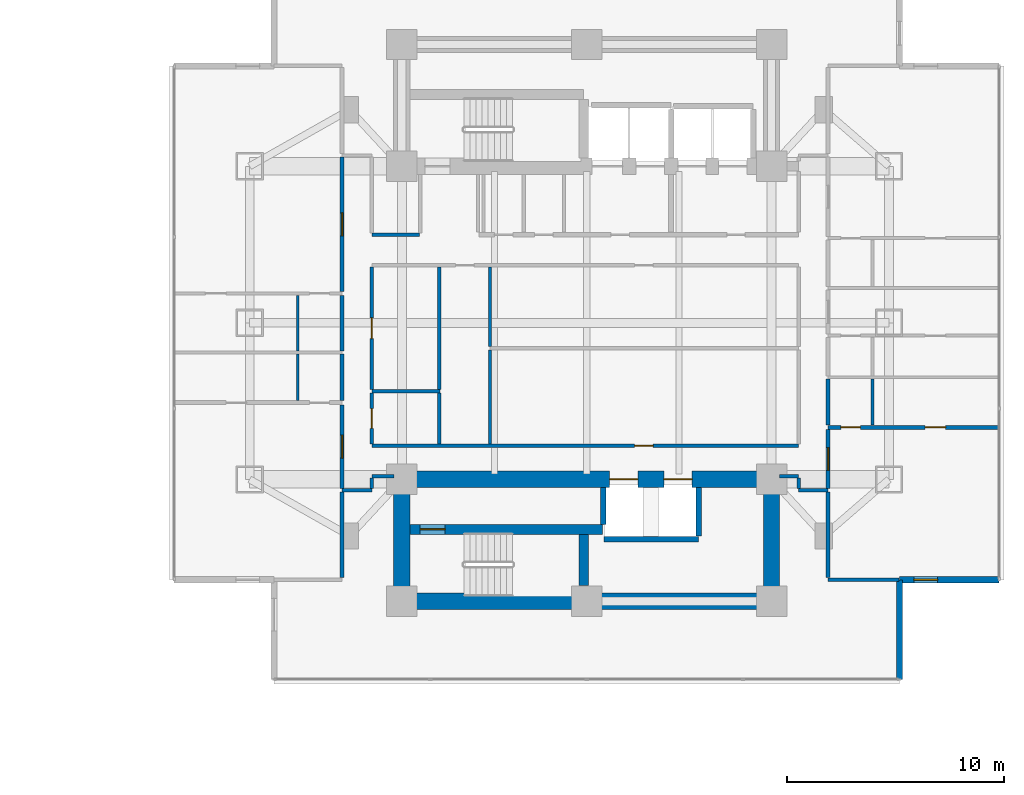
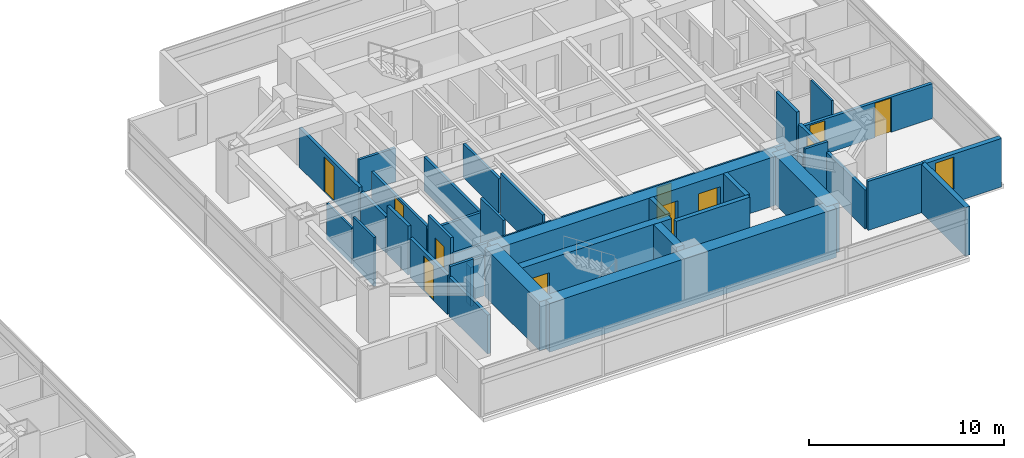
# One storey, part 18 of 26: 39 walls, 11 doors, 1 window, 12 openings.
"""IFC4 building model written with IfcOpenShell, lengths in metres."""

from ifc_helpers import new_model, si_unit, direction, frame, frame_2d, origin, place, context, subcontext, project, spatial, rectangle, extrude, material, layer, layer_set, type_object, element, fill, save


model = new_model("IFC4")

# Units and contexts
model_context = context("Model", 3, precision=1e-05, world=origin(), true_north=direction((0.0, 1.0)))
body_context = subcontext(model_context, "Body", "Model", "MODEL_VIEW")
ifc_project = project(units=[si_unit("LENGTHUNIT", "METRE"), si_unit("AREAUNIT", "SQUARE_METRE"), si_unit("VOLUMEUNIT", "CUBIC_METRE"), si_unit("PLANEANGLEUNIT", "RADIAN"), si_unit("MASSUNIT", "GRAM", prefix="KILO")], contexts=[model_context])

# Site, building, storey
site_placement = place(None, origin())
site = spatial("IfcSite", under=ifc_project, at=site_placement, CompositionType="ELEMENT")
building_placement = place(site_placement, origin())
building = spatial("IfcBuilding", under=site, at=building_placement, Name="Mirazonda Arch Towers", CompositionType="ELEMENT")
storey_placement = place(building_placement, frame((0.0, 0.0, 38.89990234375)))
storey = spatial("IfcBuildingStorey", under=building, at=storey_placement, Name="L10", CompositionType="ELEMENT", Elevation=38.89990234375)

# Wall, opening, door
ifc_material_1 = material(Name="Concrete C50/60", Category="concrete")
ifc_layer_1 = layer(ifc_material_1, 0.449951171875, Name="WALL-CORE-450")
ifc_layer_set_1 = layer_set([ifc_layer_1], Name="Concrete C50/60")
wall_type_1 = type_object("IfcWallType", Name="WALL-CORE-450", PredefinedType="SHEAR", material=ifc_layer_set_1)
wall_1_placement = place(storey_placement, frame((68.3701171875, 18.5, 0.0), z_axis=(0.0, 0.0, 1.0), x_axis=(1.0, 0.0, 0.0)))
wall_1 = element("IfcWall", 1, at=wall_1_placement, inside=storey, type_object=wall_type_1, Name="L10 Stair Core Shear Wall 014", PredefinedType="SHEAR", context=body_context, shape_type="SweptSolid", body=[
    extrude(rectangle(XDim=8.849853515625, YDim=0.449951171875, at=frame_2d((4.4248046875, 0.0))), origin(), (0.0, 0.0, 1.0), 3.06005859375),
])
opening_1_placement = place(wall_1_placement, frame((0.469970703125, 0.0, 0.0)))
opening_1 = element("IfcOpeningElement", 2, at=opening_1_placement, cuts=wall_1, Name="Opening DR-135", PredefinedType="OPENING", context=body_context, shape_type="SweptSolid", body=[
    extrude(rectangle(XDim=1.14990234375, YDim=2.199951171875, at=frame_2d((0.574951171875, 1.10009765625))), frame((0.0, 0.23486328125, 0.0), z_axis=(0.0, -1.0, 0.0), x_axis=(1.0, 0.0, 0.0)), (0.0, 0.0, 1.0), 0.469970703125),
])
ifc_material_2 = material(Name="Architectural Brushed Steel S355", Category="steel")
door_type_1 = type_object("IfcDoorType", Name="DOOR-STAIR-FD90-1150", OperationType="NOTDEFINED", PredefinedType="DOOR", material=ifc_material_2)
door_1_placement = place(opening_1_placement, origin())
door_1 = element("IfcDoor", 3, at=door_1_placement, inside=storey, type_object=door_type_1, Name="L10 East Protected Stair South Door", OperationType="SINGLE_SWING_LEFT", OverallHeight=2.199951171875, OverallWidth=1.14990234375, PredefinedType="DOOR", context=body_context, shape_type="SweptSolid", body=[
    extrude(rectangle(XDim=1.14990234375, YDim=2.199951171875, at=frame_2d((0.574951171875, 1.10009765625))), frame((0.0, 0.02490234375, 0.0), z_axis=(0.0, -1.0, 0.0), x_axis=(1.0, 0.0, 0.0)), (0.0, 0.0, 1.0), 0.050048828125),
])
fill(opening_1, door_1)

# Walls
wall_2_placement = place(storey_placement, frame((76.360107421875, 15.9150390625, 0.0), z_axis=(0.0, 0.0, 1.0), x_axis=(0.0, 1.0, 0.0)))
element("IfcWall", 4, at=wall_2_placement, inside=storey, type_object=wall_type_1, Name="L10 Stair Core Shear Wall 143", PredefinedType="SHEAR", context=body_context, shape_type="SweptSolid", body=[
    extrude(rectangle(XDim=2.349853515625, YDim=0.449951171875, at=frame_2d((1.1748046875, 0.0))), origin(), (0.0, 0.0, 1.0), 3.06005859375),
])
ifc_material_3 = material(Name="Concrete C60/75", Category="concrete")
ifc_layer_2 = layer(ifc_material_3, 0.75, Name="WALL-CORE-750")
ifc_layer_set_2 = layer_set([ifc_layer_2], Name="Concrete C60/75")
wall_type_2 = type_object("IfcWallType", Name="WALL-CORE-750", PredefinedType="SHEAR", material=ifc_layer_set_2)
wall_3_placement = place(storey_placement, frame((68.0, 15.199951171875, 0.0), z_axis=(0.0, 0.0, 1.0), x_axis=(1.0, 0.0, 0.0)))
element("IfcWall", 5, at=wall_3_placement, inside=storey, type_object=wall_type_2, Name="L10 T2S-S Core Shear Wall", PredefinedType="SHEAR", context=body_context, shape_type="SweptSolid", body=[
    extrude(rectangle(XDim=17.0, YDim=0.75, at=frame_2d((8.5, 0.0))), origin(), (0.0, 0.0, 1.0), 3.06005859375),
])
for number, where, z_axis, x_axis, name in (
    (6, (68.0, 15.199951171875, 0.0), (0.0, 0.0, 1.0), (0.0, 1.0, 0.0), "L10 T2S-W Core Shear Wall"),
    (7, (85.0, 15.199951171875, 0.0), (0.0, 0.0, 1.0), (0.0, 1.0, 0.0), "L10 T2S-E Core Shear Wall"),
):
    element("IfcWall", number, at=place(storey_placement, frame(where, z_axis=z_axis, x_axis=x_axis)), inside=storey, type_object=wall_type_2, Name=name, PredefinedType="SHEAR", context=body_context, shape_type="SweptSolid", body=[
        extrude(rectangle(XDim=5.60009765625, YDim=0.75, at=frame_2d((2.800048828125, 0.0))), origin(), (0.0, 0.0, 1.0), 3.06005859375),
    ])

# Wall, openings, doors
wall_4_placement = place(storey_placement, frame((68.0, 20.800048828125, 0.0), z_axis=(0.0, 0.0, 1.0), x_axis=(1.0, 0.0, 0.0)))
wall_4 = element("IfcWall", 8, at=wall_4_placement, inside=storey, type_object=wall_type_2, Name="L10 T2S-N Core Shear Wall", PredefinedType="SHEAR", context=body_context, shape_type="SweptSolid", body=[
    extrude(rectangle(XDim=17.0, YDim=0.75, at=frame_2d((8.5, 0.0))), origin(), (0.0, 0.0, 1.0), 3.06005859375),
])
opening_2_placement = place(wall_4_placement, frame((9.550048828125, 0.0, 0.0)))
opening_2 = element("IfcOpeningElement", 9, at=opening_2_placement, cuts=wall_4, Name="Opening LD-111", PredefinedType="OPENING", context=body_context, shape_type="SweptSolid", body=[
    extrude(rectangle(XDim=1.300048828125, YDim=2.300048828125, at=frame_2d((0.64990234375, 1.14990234375))), frame((0.0, 0.385009765625, 0.0), z_axis=(0.0, -1.0, 0.0), x_axis=(1.0, 0.0, 0.0)), (0.0, 0.0, 1.0), 0.77001953125),
])
opening_3_placement = place(wall_4_placement, frame((12.050048828125, 0.0, 0.0)))
opening_3 = element("IfcOpeningElement", 10, at=opening_3_placement, cuts=wall_4, Name="Opening LD-111", PredefinedType="OPENING", context=body_context, shape_type="SweptSolid", body=[
    extrude(rectangle(XDim=1.300048828125, YDim=2.300048828125, at=frame_2d((0.64990234375, 1.14990234375))), frame((0.0, 0.385009765625, 0.0), z_axis=(0.0, -1.0, 0.0), x_axis=(1.0, 0.0, 0.0)), (0.0, 0.0, 1.0), 0.77001953125),
])
door_type_2 = type_object("IfcDoorType", Name="DOOR-LIFT-LAND-1300", OperationType="NOTDEFINED", PredefinedType="DOOR", material=ifc_material_2)
door_2_placement = place(opening_2_placement, origin())
door_2 = element("IfcDoor", 11, at=door_2_placement, inside=storey, type_object=door_type_2, Name="L10 Lift Landing Sliding Door PL-T2H1", OperationType="DOUBLE_DOOR_SLIDING", OverallHeight=2.300048828125, OverallWidth=1.300048828125, PredefinedType="DOOR", context=body_context, shape_type="SweptSolid", body=[
    extrude(rectangle(XDim=1.300048828125, YDim=2.300048828125, at=frame_2d((0.64990234375, 1.14990234375))), frame((0.0, 0.02490234375, 0.0), z_axis=(0.0, -1.0, 0.0), x_axis=(1.0, 0.0, 0.0)), (0.0, 0.0, 1.0), 0.050048828125),
])
fill(opening_2, door_2)
door_3_placement = place(opening_3_placement, origin())
door_3 = element("IfcDoor", 12, at=door_3_placement, inside=storey, type_object=door_type_2, Name="L10 Lift Landing Sliding Door PL-T2H2", OperationType="DOUBLE_DOOR_SLIDING", OverallHeight=2.300048828125, OverallWidth=1.300048828125, PredefinedType="DOOR", context=body_context, shape_type="SweptSolid", body=[
    extrude(rectangle(XDim=1.300048828125, YDim=2.300048828125, at=frame_2d((0.64990234375, 1.14990234375))), frame((0.0, 0.02490234375, 0.0), z_axis=(0.0, -1.0, 0.0), x_axis=(1.0, 0.0, 0.0)), (0.0, 0.0, 1.0), 0.050048828125),
])
fill(opening_3, door_3)

# Wall, opening, window
ifc_material_4 = material(Name="Precast Concrete C40/50", Category="concrete")
ifc_layer_3 = layer(ifc_material_4, 0.280029296875, Name="WALL-EXT-WALL-280")
ifc_layer_set_3 = layer_set([ifc_layer_3], Name="Precast Concrete C40/50")
wall_type_3 = type_object("IfcWallType", Name="WALL-EXT-WALL-280", PredefinedType="SOLIDWALL", material=ifc_layer_set_3)
wall_5_placement = place(storey_placement, frame((90.889892578125, 16.18359375, 0.0), z_axis=(0.0, 0.0, 1.0), x_axis=(1.0, 0.0, 0.0)))
wall_5 = element("IfcWall", 13, at=wall_5_placement, inside=storey, type_object=wall_type_3, Name="L10 T2 Corner Notch Return Wall WL-L10-T2-CSE1", PredefinedType="SOLIDWALL", context=body_context, shape_type="SweptSolid", body=[
    extrude(rectangle(XDim=4.580078125, YDim=0.280029296875, at=frame_2d((2.2900390625, 0.0))), origin(), (0.0, 0.0, 1.0), 3.0400390625),
])
opening_4_placement = place(wall_5_placement, frame((0.64990234375, 0.0, 0.85009765625)))
opening_4 = element("IfcOpeningElement", 14, at=opening_4_placement, cuts=wall_5, Name="Opening WN-108", PredefinedType="OPENING", context=body_context, shape_type="SweptSolid", body=[
    extrude(rectangle(XDim=1.10009765625, YDim=2.0, at=frame_2d((0.550048828125, 1.0))), frame((0.0, 0.14990234375, 0.0), z_axis=(0.0, -1.0, 0.0), x_axis=(1.0, 0.0, 0.0)), (0.0, 0.0, 1.0), 0.300048828125),
])
ifc_material_5 = material(Name="Insulated Low-E Solar Glass", Category="glass")
window_type = type_object("IfcWindowType", Name="WIN-NOTCH-1100x2000", PartitioningType="SINGLE_PANEL", PredefinedType="WINDOW", material=ifc_material_5)
window_placement = place(opening_4_placement, origin())
window = element("IfcWindow", 15, at=window_placement, inside=storey, type_object=window_type, Name="L10 Punched Facade Window WN-L10-T2-CSE1", OverallHeight=2.0, OverallWidth=1.10009765625, PartitioningType="SINGLE_PANEL", PredefinedType="WINDOW", context=body_context, shape_type="SweptSolid", body=[
    extrude(rectangle(XDim=1.10009765625, YDim=2.0, at=frame_2d((0.550048828125, 1.0))), frame((0.0, 0.030029296875, 0.0), z_axis=(0.0, -1.0, 0.0), x_axis=(1.0, 0.0, 0.0)), (0.0, 0.0, 1.0), 0.06005859375),
])
fill(opening_4, window)

# Walls
wall_6_placement = place(storey_placement, frame((90.889892578125, 11.603515625, 0.0), z_axis=(0.0, 0.0, 1.0), x_axis=(0.0, 1.0, 0.0)))
element("IfcWall", 16, at=wall_6_placement, inside=storey, type_object=wall_type_3, Name="L10 T2 Corner Notch Return Wall WL-L10-T2-CSE2", PredefinedType="SOLIDWALL", context=body_context, shape_type="SweptSolid", body=[
    extrude(rectangle(XDim=4.580078125, YDim=0.280029296875, at=frame_2d((2.2900390625, 0.0))), origin(), (0.0, 0.0, 1.0), 3.0400390625),
])
ifc_material_6 = material(Name="Fire-Rated Gypsum Stud Partition")
ifc_layer_4 = layer(ifc_material_6, 0.14990234375, Name="WALL-PART-CORR-150")
ifc_layer_set_4 = layer_set([ifc_layer_4], Name="Fire-Rated Gypsum Stud Partition")
wall_type_4 = type_object("IfcWallType", Name="WALL-PART-CORR-150", PredefinedType="PARTITIONING", material=ifc_layer_set_4)
wall_7_placement = place(storey_placement, frame((65.25, 20.300048828125, 0.0), z_axis=(0.0, 0.0, 1.0), x_axis=(1.0, 0.0, 0.0)))
element("IfcWall", 17, at=wall_7_placement, inside=storey, type_object=wall_type_4, Name="L10 Interior Partition 017", PredefinedType="PARTITIONING", context=body_context, shape_type="SweptSolid", body=[
    extrude(rectangle(XDim=1.3701171875, YDim=0.14990234375, at=frame_2d((0.68505859375, 0.0))), origin(), (0.0, 0.0, 1.0), 3.06005859375),
])
wall_8_placement = place(storey_placement, frame((86.25, 20.300048828125, 0.0), z_axis=(0.0, 0.0, 1.0), x_axis=(1.0, 0.0, 0.0)))
element("IfcWall", 18, at=wall_8_placement, inside=storey, type_object=wall_type_4, Name="L10 Interior Partition 018", PredefinedType="PARTITIONING", context=body_context, shape_type="SweptSolid", body=[
    extrude(rectangle(XDim=1.35009765625, YDim=0.14990234375, at=frame_2d((0.675048828125, 0.0))), origin(), (0.0, 0.0, 1.0), 3.06005859375),
])
wall_9_placement = place(storey_placement, frame((66.6201171875, 20.949951171875, 0.0), z_axis=(0.0, 0.0, 1.0), x_axis=(1.0, 0.0, 0.0)))
element("IfcWall", 19, at=wall_9_placement, inside=storey, type_object=wall_type_4, Name="L10 Interior Partition 019", PredefinedType="PARTITIONING", context=body_context, shape_type="SweptSolid", body=[
    extrude(rectangle(XDim=1.009765625, YDim=0.14990234375, at=frame_2d((0.5048828125, 0.0))), origin(), (0.0, 0.0, 1.0), 2.4521484375),
])
wall_10_placement = place(storey_placement, frame((85.3701171875, 20.949951171875, 0.0), z_axis=(0.0, 0.0, 1.0), x_axis=(1.0, 0.0, 0.0)))
element("IfcWall", 20, at=wall_10_placement, inside=storey, type_object=wall_type_4, Name="L10 Interior Partition 020", PredefinedType="PARTITIONING", context=body_context, shape_type="SweptSolid", body=[
    extrude(rectangle(XDim=0.8798828125, YDim=0.14990234375, at=frame_2d((0.43994140625, 0.0))), origin(), (0.0, 0.0, 1.0), 2.4521484375),
])

# Wall, opening, door
wall_11_placement = place(storey_placement, frame((66.6201171875, 22.35009765625, 0.0), z_axis=(0.0, 0.0, 1.0), x_axis=(1.0, 0.0, 0.0)))
wall_11 = element("IfcWall", 21, at=wall_11_placement, inside=storey, type_object=wall_type_4, Name="L10 Interior Partition 023", PredefinedType="PARTITIONING", context=body_context, shape_type="SweptSolid", body=[
    extrude(rectangle(XDim=19.6298828125, YDim=0.14990234375, at=frame_2d((9.81494140625, 0.0))), origin(), (0.0, 0.0, 1.0), 2.125),
])
opening_5_placement = place(wall_11_placement, frame((12.0849609375, 0.0, 0.0)))
opening_5 = element("IfcOpeningElement", 22, at=opening_5_placement, cuts=wall_11, Name="Opening DR-128", PredefinedType="OPENING", context=body_context, shape_type="SweptSolid", body=[
    extrude(rectangle(XDim=0.85009765625, YDim=2.010009765625, at=frame_2d((0.425048828125, 1.0048828125))), frame((0.0, 0.0849609375, 0.0), z_axis=(0.0, -1.0, 0.0), x_axis=(1.0, 0.0, 0.0)), (0.0, 0.0, 1.0), 0.169921875),
])
door_type_3 = type_object("IfcDoorType", Name="DOOR-RISER-FD60-850", OperationType="NOTDEFINED", PredefinedType="DOOR", material=ifc_material_2)
door_4_placement = place(opening_5_placement, origin())
door_4 = element("IfcDoor", 23, at=door_4_placement, inside=storey, type_object=door_type_3, Name="L10 Business Reading Study Door", OperationType="SINGLE_SWING_RIGHT", OverallHeight=2.010009765625, OverallWidth=0.85009765625, PredefinedType="DOOR", context=body_context, shape_type="SweptSolid", body=[
    extrude(rectangle(XDim=0.85009765625, YDim=2.010009765625, at=frame_2d((0.425048828125, 1.0048828125))), frame((0.0, 0.02490234375, 0.0), z_axis=(0.0, -1.0, 0.0), x_axis=(1.0, 0.0, 0.0)), (0.0, 0.0, 1.0), 0.050048828125),
])
fill(opening_5, door_4)

# Walls
wall_12_placement = place(storey_placement, frame((66.6201171875, 24.85009765625, 0.0), z_axis=(0.0, 0.0, 1.0), x_axis=(1.0, 0.0, 0.0)))
element("IfcWall", 24, at=wall_12_placement, inside=storey, type_object=wall_type_4, Name="L10 Interior Partition 029", PredefinedType="PARTITIONING", context=body_context, shape_type="SweptSolid", body=[
    extrude(rectangle(XDim=3.1298828125, YDim=0.14990234375, at=frame_2d((1.56494140625, 0.0))), origin(), (0.0, 0.0, 1.0), 2.125),
])
wall_13_placement = place(storey_placement, frame((66.6201171875, 32.050048828125, 0.0), z_axis=(0.0, 0.0, 1.0), x_axis=(1.0, 0.0, 0.0)))
element("IfcWall", 25, at=wall_13_placement, inside=storey, type_object=wall_type_4, Name="L10 Interior Partition 044", PredefinedType="PARTITIONING", context=body_context, shape_type="SweptSolid", body=[
    extrude(rectangle(XDim=2.179931640625, YDim=0.14990234375, at=frame_2d((1.08984375, 0.0))), origin(), (0.0, 0.0, 1.0), 2.125),
])
wall_14_placement = place(storey_placement, frame((66.6201171875, 20.385009765625, 0.0), z_axis=(0.0, 0.0, 1.0), x_axis=(0.0, 1.0, 0.0)))
element("IfcWall", 26, at=wall_14_placement, inside=storey, type_object=wall_type_4, Name="L10 Interior Partition 130", PredefinedType="PARTITIONING", context=body_context, shape_type="SweptSolid", body=[
    extrude(rectangle(XDim=0.47998046875, YDim=0.14990234375, at=frame_2d((0.239990234375, 0.0))), origin(), (0.0, 0.0, 1.0), 2.4521484375),
])

# Wall, opening, door
wall_15_placement = place(storey_placement, frame((66.6201171875, 22.43505859375, 0.0), z_axis=(0.0, 0.0, 1.0), x_axis=(0.0, 1.0, 0.0)))
wall_15 = element("IfcWall", 27, at=wall_15_placement, inside=storey, type_object=wall_type_4, Name="L10 Interior Partition 131", PredefinedType="PARTITIONING", context=body_context, shape_type="SweptSolid", body=[
    extrude(rectangle(XDim=2.329833984375, YDim=0.14990234375, at=frame_2d((1.1650390625, 0.0))), origin(), (0.0, 0.0, 1.0), 3.06005859375),
])
opening_6_placement = place(wall_15_placement, frame((0.715087890625, 0.0, 0.0)))
opening_6 = element("IfcOpeningElement", 28, at=opening_6_placement, cuts=wall_15, Name="Opening DR-120", PredefinedType="OPENING", context=body_context, shape_type="SweptSolid", body=[
    extrude(rectangle(XDim=0.89990234375, YDim=2.10009765625, at=frame_2d((0.449951171875, 1.050048828125))), frame((0.0, 0.0849609375, 0.0), z_axis=(0.0, -1.0, 0.0), x_axis=(1.0, 0.0, 0.0)), (0.0, 0.0, 1.0), 0.169921875),
])
door_type_4 = type_object("IfcDoorType", Name="DOOR-WC-900", OperationType="NOTDEFINED", PredefinedType="DOOR", material=ifc_material_2)
door_5_placement = place(opening_6_placement, origin())
door_5 = element("IfcDoor", 29, at=door_5_placement, inside=storey, type_object=door_type_4, Name="L10 Tower 2 Common Accessible WC Door", OperationType="SINGLE_SWING_RIGHT", OverallHeight=2.10009765625, OverallWidth=0.89990234375, PredefinedType="DOOR", context=body_context, shape_type="SweptSolid", body=[
    extrude(rectangle(XDim=0.89990234375, YDim=2.10009765625, at=frame_2d((0.449951171875, 1.050048828125))), frame((0.0, 0.02490234375, 0.0), z_axis=(0.0, -1.0, 0.0), x_axis=(1.0, 0.0, 0.0)), (0.0, 0.0, 1.0), 0.050048828125),
])
fill(opening_6, door_5)

wall_16_placement = place(storey_placement, frame((66.6201171875, 24.93505859375, 0.0), z_axis=(0.0, 0.0, 1.0), x_axis=(0.0, 1.0, 0.0)))
wall_16 = element("IfcWall", 30, at=wall_16_placement, inside=storey, type_object=wall_type_4, Name="L10 Interior Partition 132", PredefinedType="PARTITIONING", context=body_context, shape_type="SweptSolid", body=[
    extrude(rectangle(XDim=5.6298828125, YDim=0.14990234375, at=frame_2d((2.81494140625, 0.0))), origin(), (0.0, 0.0, 1.0), 2.279052734375),
])
opening_7_placement = place(wall_16_placement, frame((2.340087890625, 0.0, 0.0)))
opening_7 = element("IfcOpeningElement", 31, at=opening_7_placement, cuts=wall_16, Name="Opening DR-104", PredefinedType="OPENING", context=body_context, shape_type="SweptSolid", body=[
    extrude(rectangle(XDim=0.949951171875, YDim=2.14990234375, at=frame_2d((0.47509765625, 1.074951171875))), frame((0.0, 0.0849609375, 0.0), z_axis=(0.0, -1.0, 0.0), x_axis=(1.0, 0.0, 0.0)), (0.0, 0.0, 1.0), 0.169921875),
])
door_type_5 = type_object("IfcDoorType", Name="DOOR-ROOM-950", OperationType="NOTDEFINED", PredefinedType="DOOR", material=ifc_material_2)
door_6_placement = place(opening_7_placement, origin())
door_6 = element("IfcDoor", 32, at=door_6_placement, inside=storey, type_object=door_type_5, Name="L10 L10 East Courtyard Reading Study Door", OperationType="SINGLE_SWING_RIGHT", OverallHeight=2.14990234375, OverallWidth=0.949951171875, PredefinedType="DOOR", context=body_context, shape_type="SweptSolid", body=[
    extrude(rectangle(XDim=0.949951171875, YDim=2.14990234375, at=frame_2d((0.47509765625, 1.074951171875))), frame((0.0, 0.02490234375, 0.0), z_axis=(0.0, -1.0, 0.0), x_axis=(1.0, 0.0, 0.0)), (0.0, 0.0, 1.0), 0.050048828125),
])
fill(opening_7, door_6)

# Walls
wall_17_placement = place(storey_placement, frame((69.723388671875, 22.43505859375, 0.0), z_axis=(0.0, 0.0, 1.0), x_axis=(0.0, 1.0, 0.0)))
element("IfcWall", 33, at=wall_17_placement, inside=storey, type_object=wall_type_4, Name="L10 Interior Partition 135", PredefinedType="PARTITIONING", context=body_context, shape_type="SweptSolid", body=[
    extrude(rectangle(XDim=2.329833984375, YDim=0.14990234375, at=frame_2d((1.1650390625, 0.0))), origin(), (0.0, 0.0, 1.0), 3.06005859375),
])
wall_18_placement = place(storey_placement, frame((69.723388671875, 24.93505859375, 0.0), z_axis=(0.0, 0.0, 1.0), x_axis=(0.0, 1.0, 0.0)))
element("IfcWall", 34, at=wall_18_placement, inside=storey, type_object=wall_type_4, Name="L10 Interior Partition 136", PredefinedType="PARTITIONING", context=body_context, shape_type="SweptSolid", body=[
    extrude(rectangle(XDim=5.6298828125, YDim=0.14990234375, at=frame_2d((2.81494140625, 0.0))), origin(), (0.0, 0.0, 1.0), 2.125),
])
wall_19_placement = place(storey_placement, frame((72.050048828125, 22.43505859375, 0.0), z_axis=(0.0, 0.0, 1.0), x_axis=(0.0, 1.0, 0.0)))
element("IfcWall", 35, at=wall_19_placement, inside=storey, type_object=wall_type_4, Name="L10 Interior Partition 139", PredefinedType="PARTITIONING", context=body_context, shape_type="SweptSolid", body=[
    extrude(rectangle(XDim=4.31201171875, YDim=0.14990234375, at=frame_2d((2.156005859375, 0.0))), origin(), (0.0, 0.0, 1.0), 2.589111328125),
])
wall_20_placement = place(storey_placement, frame((72.050048828125, 26.9169921875, 0.0), z_axis=(0.0, 0.0, 1.0), x_axis=(0.0, 1.0, 0.0)))
element("IfcWall", 36, at=wall_20_placement, inside=storey, type_object=wall_type_4, Name="L10 Interior Partition 140", PredefinedType="PARTITIONING", context=body_context, shape_type="SweptSolid", body=[
    extrude(rectangle(XDim=3.64794921875, YDim=0.14990234375, at=frame_2d((1.823974609375, 0.0))), origin(), (0.0, 0.0, 1.0), 2.125),
])
wall_21_placement = place(storey_placement, frame((86.25, 20.385009765625, 0.0), z_axis=(0.0, 0.0, 1.0), x_axis=(0.0, 1.0, 0.0)))
element("IfcWall", 37, at=wall_21_placement, inside=storey, type_object=wall_type_4, Name="L10 Interior Partition 150", PredefinedType="PARTITIONING", context=body_context, shape_type="SweptSolid", body=[
    extrude(rectangle(XDim=0.47998046875, YDim=0.14990234375, at=frame_2d((0.239990234375, 0.0))), origin(), (0.0, 0.0, 1.0), 2.4521484375),
])
ifc_material_7 = material(Name="Fire-Rated Gypsum Twin-Stud Assembly")
ifc_layer_5 = layer(ifc_material_7, 0.179931640625, Name="WALL-PART-DEMISE-180")
ifc_layer_set_5 = layer_set([ifc_layer_5], Name="Fire-Rated Gypsum Twin-Stud Assembly")
wall_type_5 = type_object("IfcWallType", Name="WALL-PART-DEMISE-180", PredefinedType="PARTITIONING", material=ifc_layer_set_5)
wall_22_placement = place(storey_placement, frame((87.60009765625, 16.18310546875, 0.0), z_axis=(0.0, 0.0, 1.0), x_axis=(1.0, 0.0, 0.0)))
element("IfcWall", 38, at=wall_22_placement, inside=storey, type_object=wall_type_5, Name="L10 Interior Partition 010", PredefinedType="PARTITIONING", context=body_context, shape_type="SweptSolid", body=[
    extrude(rectangle(XDim=3.27001953125, YDim=0.179931640625, at=frame_2d((1.635009765625, 0.0))), origin(), (0.0, 0.0, 1.0), 3.06005859375),
])

# Wall, openings, doors
wall_23_placement = place(storey_placement, frame((87.60009765625, 23.19189453125, 0.0), z_axis=(0.0, 0.0, 1.0), x_axis=(1.0, 0.0, 0.0)))
wall_23 = element("IfcWall", 39, at=wall_23_placement, inside=storey, type_object=wall_type_5, Name="L10 Interior Partition 025", PredefinedType="PARTITIONING", context=body_context, shape_type="SweptSolid", body=[
    extrude(rectangle(XDim=7.869873046875, YDim=0.179931640625, at=frame_2d((3.93505859375, 0.0))), origin(), (0.0, 0.0, 1.0), 2.196044921875),
])
opening_8_placement = place(wall_23_placement, frame((4.4599609375, 0.0, 0.0)))
opening_8 = element("IfcOpeningElement", 40, at=opening_8_placement, cuts=wall_23, Name="Opening DR-104", PredefinedType="OPENING", context=body_context, shape_type="SweptSolid", body=[
    extrude(rectangle(XDim=0.949951171875, YDim=2.14990234375, at=frame_2d((0.47509765625, 1.074951171875))), frame((0.0, 0.099853515625, 0.0), z_axis=(0.0, -1.0, 0.0), x_axis=(1.0, 0.0, 0.0)), (0.0, 0.0, 1.0), 0.199951171875),
])
opening_9_placement = place(wall_23_placement, frame((0.590087890625, 0.0, 0.0)))
opening_9 = element("IfcOpeningElement", 41, at=opening_9_placement, cuts=wall_23, Name="Opening DR-120", PredefinedType="OPENING", context=body_context, shape_type="SweptSolid", body=[
    extrude(rectangle(XDim=0.89990234375, YDim=2.10009765625, at=frame_2d((0.449951171875, 1.050048828125))), frame((0.0, 0.099853515625, 0.0), z_axis=(0.0, -1.0, 0.0), x_axis=(1.0, 0.0, 0.0)), (0.0, 0.0, 1.0), 0.199951171875),
])
door_7_placement = place(opening_8_placement, origin())
door_7 = element("IfcDoor", 42, at=door_7_placement, inside=storey, type_object=door_type_5, Name="L10 Guestroom Study 1 Door", OperationType="SINGLE_SWING_RIGHT", OverallHeight=2.14990234375, OverallWidth=0.949951171875, PredefinedType="DOOR", context=body_context, shape_type="SweptSolid", body=[
    extrude(rectangle(XDim=0.949951171875, YDim=2.14990234375, at=frame_2d((0.47509765625, 1.074951171875))), frame((0.0, 0.02490234375, 0.0), z_axis=(0.0, -1.0, 0.0), x_axis=(1.0, 0.0, 0.0)), (0.0, 0.0, 1.0), 0.050048828125),
])
fill(opening_8, door_7)
door_8_placement = place(opening_9_placement, origin())
door_8 = element("IfcDoor", 43, at=door_8_placement, inside=storey, type_object=door_type_4, Name="L10 En-Suite Bathroom 1 Door", OperationType="SINGLE_SWING_LEFT", OverallHeight=2.10009765625, OverallWidth=0.89990234375, PredefinedType="DOOR", context=body_context, shape_type="SweptSolid", body=[
    extrude(rectangle(XDim=0.89990234375, YDim=2.10009765625, at=frame_2d((0.449951171875, 1.050048828125))), frame((0.0, 0.02490234375, 0.0), z_axis=(0.0, -1.0, 0.0), x_axis=(1.0, 0.0, 0.0)), (0.0, 0.0, 1.0), 0.050048828125),
])
fill(opening_9, door_8)

# Wall
wall_24_placement = place(storey_placement, frame((65.25, 16.282958984375, 0.0), z_axis=(0.0, 0.0, 1.0), x_axis=(0.0, 1.0, 0.0)))
element("IfcWall", 44, at=wall_24_placement, inside=storey, type_object=wall_type_5, Name="L10 Interior Partition 124", PredefinedType="PARTITIONING", context=body_context, shape_type="SweptSolid", body=[
    extrude(rectangle(XDim=3.93212890625, YDim=0.179931640625, at=frame_2d((1.966064453125, 0.0))), origin(), (0.0, 0.0, 1.0), 2.43603515625),
])

# Wall, opening, door
wall_25_placement = place(storey_placement, frame((65.25, 20.385009765625, 0.0), z_axis=(0.0, 0.0, 1.0), x_axis=(0.0, 1.0, 0.0)))
wall_25 = element("IfcWall", 45, at=wall_25_placement, inside=storey, type_object=wall_type_5, Name="L10 Interior Partition 125", PredefinedType="PARTITIONING", context=body_context, shape_type="SweptSolid", body=[
    extrude(rectangle(XDim=3.846923828125, YDim=0.179931640625, at=frame_2d((1.92333984375, 0.0))), origin(), (0.0, 0.0, 1.0), 2.4521484375),
])
opening_10_placement = place(wall_25_placement, frame((1.3984375, 0.0, 0.0)))
opening_10 = element("IfcOpeningElement", 46, at=opening_10_placement, cuts=wall_25, Name="Opening DR-121", PredefinedType="OPENING", context=body_context, shape_type="SweptSolid", body=[
    extrude(rectangle(XDim=1.050048828125, YDim=2.199951171875, at=frame_2d((0.52490234375, 1.10009765625))), frame((0.0, 0.099853515625, 0.0), z_axis=(0.0, -1.0, 0.0), x_axis=(1.0, 0.0, 0.0)), (0.0, 0.0, 1.0), 0.199951171875),
])
door_type_6 = type_object("IfcDoorType", Name="DOOR-SUITE-FD60-1050", OperationType="NOTDEFINED", PredefinedType="DOOR", material=ifc_material_2)
door_9_placement = place(opening_10_placement, origin())
door_9 = element("IfcDoor", 47, at=door_9_placement, inside=storey, type_object=door_type_6, Name="L10 Panoramic Suite Salon 1 Door", OperationType="SINGLE_SWING_LEFT", OverallHeight=2.199951171875, OverallWidth=1.050048828125, PredefinedType="DOOR", context=body_context, shape_type="SweptSolid", body=[
    extrude(rectangle(XDim=1.050048828125, YDim=2.199951171875, at=frame_2d((0.52490234375, 1.10009765625))), frame((0.0, 0.02490234375, 0.0), z_axis=(0.0, -1.0, 0.0), x_axis=(1.0, 0.0, 0.0)), (0.0, 0.0, 1.0), 0.050048828125),
])
fill(opening_10, door_9)

# Walls
wall_26_placement = place(storey_placement, frame((65.25, 24.431884765625, 0.0), z_axis=(0.0, 0.0, 1.0), x_axis=(0.0, 1.0, 0.0)))
element("IfcWall", 48, at=wall_26_placement, inside=storey, type_object=wall_type_5, Name="L10 Interior Partition 126", PredefinedType="PARTITIONING", context=body_context, shape_type="SweptSolid", body=[
    extrude(rectangle(XDim=2.127685546875, YDim=0.179931640625, at=frame_2d((1.06396484375, 0.0))), origin(), (0.0, 0.0, 1.0), 3.06005859375),
])
wall_27_placement = place(storey_placement, frame((65.25, 26.70458984375, 0.0), z_axis=(0.0, 0.0, 1.0), x_axis=(0.0, 1.0, 0.0)))
element("IfcWall", 49, at=wall_27_placement, inside=storey, type_object=wall_type_5, Name="L10 Interior Partition 127", PredefinedType="PARTITIONING", context=body_context, shape_type="SweptSolid", body=[
    extrude(rectangle(XDim=2.5625, YDim=0.179931640625, at=frame_2d((1.28125, 0.0))), origin(), (0.0, 0.0, 1.0), 2.279052734375),
])

# Wall, opening, door
wall_28_placement = place(storey_placement, frame((65.25, 29.43701171875, 0.0), z_axis=(0.0, 0.0, 1.0), x_axis=(0.0, 1.0, 0.0)))
wall_28 = element("IfcWall", 50, at=wall_28_placement, inside=storey, type_object=wall_type_5, Name="L10 Interior Partition 128", PredefinedType="PARTITIONING", context=body_context, shape_type="SweptSolid", body=[
    extrude(rectangle(XDim=6.177978515625, YDim=0.179931640625, at=frame_2d((3.0888671875, 0.0))), origin(), (0.0, 0.0, 1.0), 2.4521484375),
])
opening_11_placement = place(wall_28_placement, frame((2.56396484375, 0.0, 0.0)))
opening_11 = element("IfcOpeningElement", 51, at=opening_11_placement, cuts=wall_28, Name="Opening DR-121", PredefinedType="OPENING", context=body_context, shape_type="SweptSolid", body=[
    extrude(rectangle(XDim=1.050048828125, YDim=2.199951171875, at=frame_2d((0.52490234375, 1.10009765625))), frame((0.0, 0.099853515625, 0.0), z_axis=(0.0, -1.0, 0.0), x_axis=(1.0, 0.0, 0.0)), (0.0, 0.0, 1.0), 0.199951171875),
])
door_10_placement = place(opening_11_placement, origin())
door_10 = element("IfcDoor", 52, at=door_10_placement, inside=storey, type_object=door_type_6, Name="L10 Presidential Hotel Suite 2 Door", OperationType="SINGLE_SWING_RIGHT", OverallHeight=2.199951171875, OverallWidth=1.050048828125, PredefinedType="DOOR", context=body_context, shape_type="SweptSolid", body=[
    extrude(rectangle(XDim=1.050048828125, YDim=2.199951171875, at=frame_2d((0.52490234375, 1.10009765625))), frame((0.0, 0.02490234375, 0.0), z_axis=(0.0, -1.0, 0.0), x_axis=(1.0, 0.0, 0.0)), (0.0, 0.0, 1.0), 0.050048828125),
])
fill(opening_11, door_10)

# Wall
wall_29_placement = place(storey_placement, frame((87.60009765625, 16.282958984375, 0.0), z_axis=(0.0, 0.0, 1.0), x_axis=(0.0, 1.0, 0.0)))
element("IfcWall", 53, at=wall_29_placement, inside=storey, type_object=wall_type_5, Name="L10 Interior Partition 155", PredefinedType="PARTITIONING", context=body_context, shape_type="SweptSolid", body=[
    extrude(rectangle(XDim=3.93212890625, YDim=0.179931640625, at=frame_2d((1.966064453125, 0.0))), origin(), (0.0, 0.0, 1.0), 2.43603515625),
])

# Wall, opening, door
wall_30_placement = place(storey_placement, frame((87.60009765625, 20.385009765625, 0.0), z_axis=(0.0, 0.0, 1.0), x_axis=(0.0, 1.0, 0.0)))
wall_30 = element("IfcWall", 54, at=wall_30_placement, inside=storey, type_object=wall_type_5, Name="L10 Interior Partition 156", PredefinedType="PARTITIONING", context=body_context, shape_type="SweptSolid", body=[
    extrude(rectangle(XDim=2.70703125, YDim=0.179931640625, at=frame_2d((1.353515625, 0.0))), origin(), (0.0, 0.0, 1.0), 2.4521484375),
])
opening_12_placement = place(wall_30_placement, frame((0.82861328125, 0.0, 0.0)))
opening_12 = element("IfcOpeningElement", 55, at=opening_12_placement, cuts=wall_30, Name="Opening DR-121", PredefinedType="OPENING", context=body_context, shape_type="SweptSolid", body=[
    extrude(rectangle(XDim=1.050048828125, YDim=2.199951171875, at=frame_2d((0.52490234375, 1.10009765625))), frame((0.0, 0.099853515625, 0.0), z_axis=(0.0, -1.0, 0.0), x_axis=(1.0, 0.0, 0.0)), (0.0, 0.0, 1.0), 0.199951171875),
])
door_11_placement = place(opening_12_placement, origin())
door_11 = element("IfcDoor", 56, at=door_11_placement, inside=storey, type_object=door_type_6, Name="L10 King Hotel Guestroom 1 Door", OperationType="SINGLE_SWING_LEFT", OverallHeight=2.199951171875, OverallWidth=1.050048828125, PredefinedType="DOOR", context=body_context, shape_type="SweptSolid", body=[
    extrude(rectangle(XDim=1.050048828125, YDim=2.199951171875, at=frame_2d((0.52490234375, 1.10009765625))), frame((0.0, 0.02490234375, 0.0), z_axis=(0.0, -1.0, 0.0), x_axis=(1.0, 0.0, 0.0)), (0.0, 0.0, 1.0), 0.050048828125),
])
fill(opening_12, door_11)

# Walls
wall_31_placement = place(storey_placement, frame((87.60009765625, 23.2919921875, 0.0), z_axis=(0.0, 0.0, 1.0), x_axis=(0.0, 1.0, 0.0)))
element("IfcWall", 57, at=wall_31_placement, inside=storey, type_object=wall_type_5, Name="L10 Interior Partition 157", PredefinedType="PARTITIONING", context=body_context, shape_type="SweptSolid", body=[
    extrude(rectangle(XDim=2.12744140625, YDim=0.179931640625, at=frame_2d((1.063720703125, 0.0))), origin(), (0.0, 0.0, 1.0), 3.06005859375),
])
ifc_material_8 = material(Name="Acoustic Fire-Rated Gypsum Partition")
ifc_layer_6 = layer(ifc_material_8, 0.125, Name="WALL-PART-UNIT-125")
ifc_layer_set_6 = layer_set([ifc_layer_6], Name="Acoustic Fire-Rated Gypsum Partition")
wall_type_6 = type_object("IfcWallType", Name="WALL-PART-UNIT-125", PredefinedType="PARTITIONING", material=ifc_layer_set_6)
wall_32_placement = place(storey_placement, frame((63.2099609375, 24.431884765625, 0.0), z_axis=(0.0, 0.0, 1.0), x_axis=(0.0, 1.0, 0.0)))
element("IfcWall", 58, at=wall_32_placement, inside=storey, type_object=wall_type_6, Name="L10 Interior Partition 122", PredefinedType="PARTITIONING", context=body_context, shape_type="SweptSolid", body=[
    extrude(rectangle(XDim=2.127685546875, YDim=0.125, at=frame_2d((1.06396484375, 0.0))), origin(), (0.0, 0.0, 1.0), 3.06005859375),
])
wall_33_placement = place(storey_placement, frame((63.2099609375, 26.70458984375, 0.0), z_axis=(0.0, 0.0, 1.0), x_axis=(0.0, 1.0, 0.0)))
element("IfcWall", 59, at=wall_33_placement, inside=storey, type_object=wall_type_6, Name="L10 Interior Partition 123", PredefinedType="PARTITIONING", context=body_context, shape_type="SweptSolid", body=[
    extrude(rectangle(XDim=2.5625, YDim=0.125, at=frame_2d((1.28125, 0.0))), origin(), (0.0, 0.0, 1.0), 2.279052734375),
])
wall_34_placement = place(storey_placement, frame((89.639892578125, 23.2919921875, 0.0), z_axis=(0.0, 0.0, 1.0), x_axis=(0.0, 1.0, 0.0)))
element("IfcWall", 60, at=wall_34_placement, inside=storey, type_object=wall_type_6, Name="L10 Interior Partition 163", PredefinedType="PARTITIONING", context=body_context, shape_type="SweptSolid", body=[
    extrude(rectangle(XDim=2.12744140625, YDim=0.125, at=frame_2d((1.063720703125, 0.0))), origin(), (0.0, 0.0, 1.0), 3.06005859375),
])
ifc_material_9 = material(Name="Concrete C40/50", Category="concrete")
ifc_layer_7 = layer(ifc_material_9, 0.25, Name="WALL-SHAFT-250")
ifc_layer_set_7 = layer_set([ifc_layer_7], Name="Concrete C40/50")
wall_type_7 = type_object("IfcWallType", Name="WALL-SHAFT-250", PredefinedType="SOLIDWALL", material=ifc_layer_set_7)
wall_35_placement = place(storey_placement, frame((77.300048828125, 18.050048828125, 0.0), z_axis=(0.0, 0.0, 1.0), x_axis=(1.0, 0.0, 0.0)))
element("IfcWall", 61, at=wall_35_placement, inside=storey, type_object=wall_type_7, Name="L10 Interior Partition 011", PredefinedType="SOLIDWALL", context=body_context, shape_type="SweptSolid", body=[
    extrude(rectangle(XDim=4.349853515625, YDim=0.25, at=frame_2d((2.1748046875, 0.0))), origin(), (0.0, 0.0, 1.0), 3.06005859375),
])
wall_36_placement = place(storey_placement, frame((77.260009765625, 18.735107421875, 0.0), z_axis=(0.0, 0.0, 1.0), x_axis=(0.0, 1.0, 0.0)))
element("IfcWall", 62, at=wall_36_placement, inside=storey, type_object=wall_type_7, Name="L10 Interior Partition 145", PredefinedType="SOLIDWALL", context=body_context, shape_type="SweptSolid", body=[
    extrude(rectangle(XDim=1.69482421875, YDim=0.25, at=frame_2d((0.847412109375, 0.0))), origin(), (0.0, 0.0, 1.0), 3.06005859375),
])
wall_37_placement = place(storey_placement, frame((81.64990234375, 18.18505859375, 0.0), z_axis=(0.0, 0.0, 1.0), x_axis=(0.0, 1.0, 0.0)))
element("IfcWall", 63, at=wall_37_placement, inside=storey, type_object=wall_type_7, Name="L10 Interior Partition 148", PredefinedType="SOLIDWALL", context=body_context, shape_type="SweptSolid", body=[
    extrude(rectangle(XDim=2.244873046875, YDim=0.25, at=frame_2d((1.12255859375, 0.0))), origin(), (0.0, 0.0, 1.0), 3.06005859375),
])

save(model, "model.ifc")
